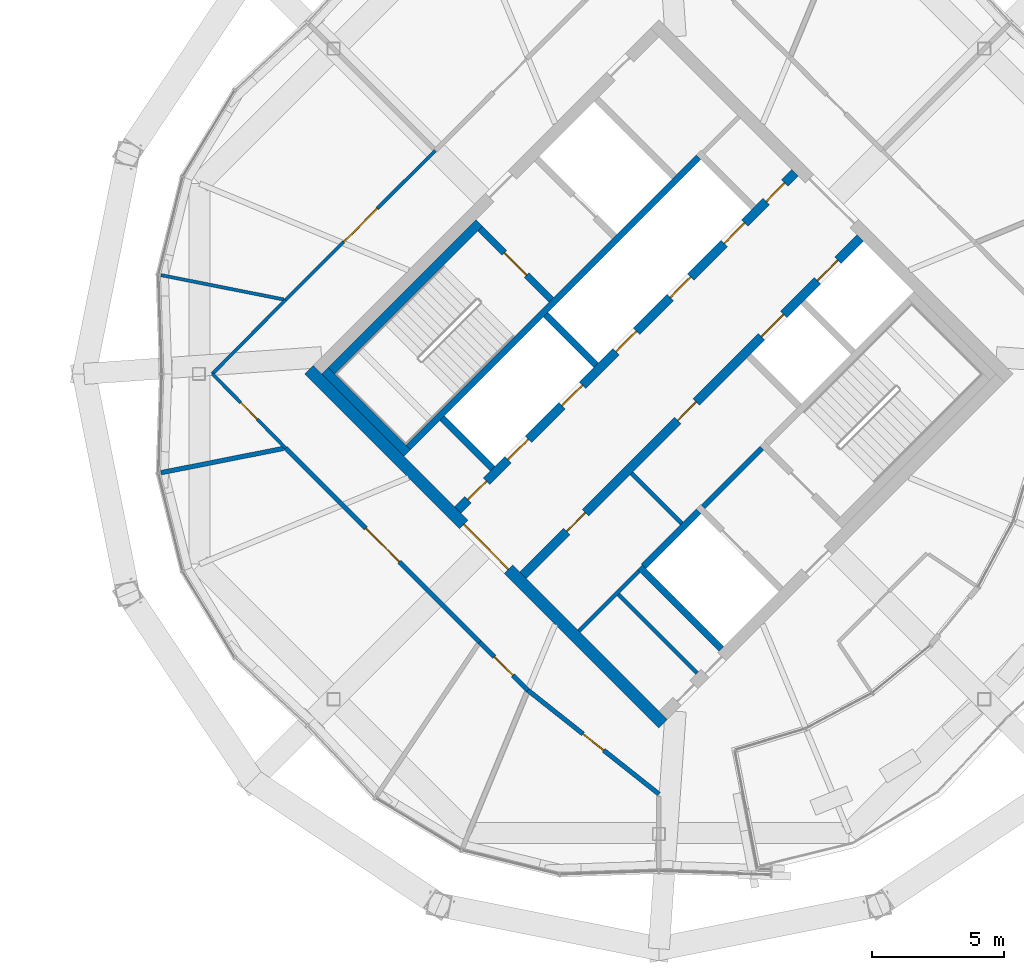
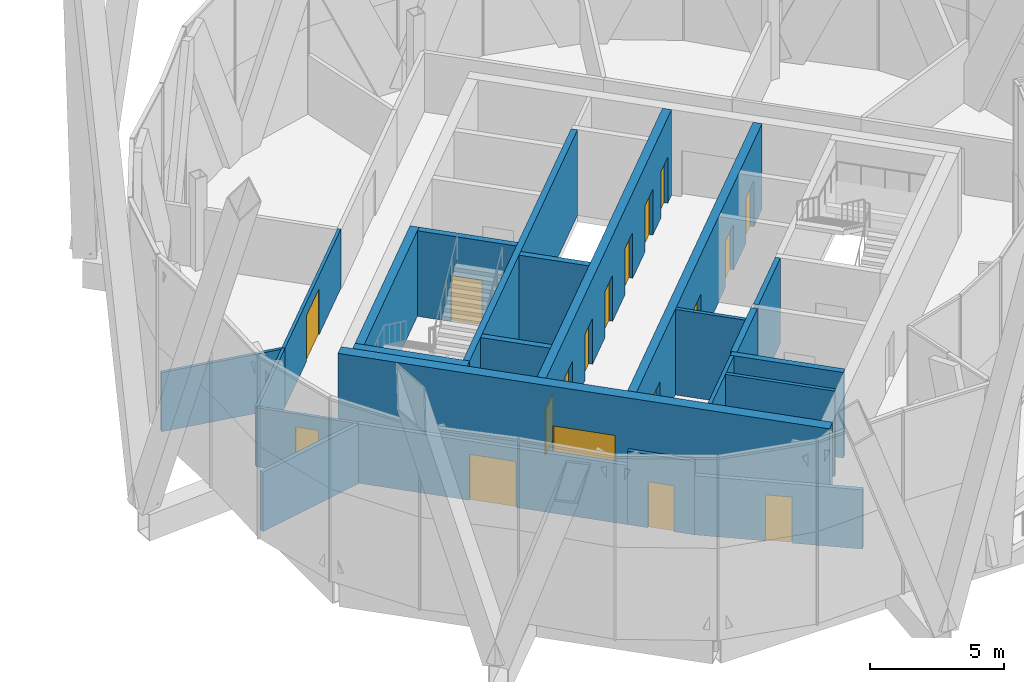
# One storey, part 33 of 38: 23 walls, 18 doors, 18 openings.
"""IFC4 building model written with IfcOpenShell, lengths in metres."""

import ifcopenshell
import ifcopenshell.guid

model = None  # the IFC model being written
_history = None  # IfcOwnerHistory: only IFC2X3 demands one
_inside = {}  # id of a spatial element -> (the spatial element, [elements in it])
_under = {}  # id of a project, library or spatial element -> (it, [spatial elements below it])
_declared = {}  # id of a project -> (the project, [libraries it declares])
_typed = {}  # id of a type object -> (the type object, [elements of that type])
_made_of = {}  # id of a material, layer set ... -> (it, [elements and type objects made of it])


def new_model(schema):
    """Start an empty IFC model of exactly this schema.

    Asked for "IFC4X3", IfcOpenShell would pick the latest addendum, in which some entities
    have other attributes; the version numbers below select the first issue.
    IFC2X3 requires an IfcOwnerHistory on every rooted entity: one is made here for all.
    """
    global model, _history
    if schema == "IFC4X3":
        model = ifcopenshell.file(schema_version=(4, 3, 0, 0))
    else:
        model = ifcopenshell.file(schema=schema)
    _inside.clear()
    _under.clear()
    _declared.clear()
    _typed.clear()
    _made_of.clear()
    _history = None
    if model.schema == "IFC2X3":
        org = make("IfcOrganization", Name="unknown")
        user = make(
            "IfcPersonAndOrganization",
            ThePerson=make("IfcPerson", FamilyName="unknown"),
            TheOrganization=org,
        )
        app = make(
            "IfcApplication",
            ApplicationDeveloper=org,
            Version="unknown",
            ApplicationFullName="unknown",
            ApplicationIdentifier="unknown",
        )
        _history = make(
            "IfcOwnerHistory",
            OwningUser=user,
            OwningApplication=app,
            ChangeAction="ADDED",
            CreationDate=0,
        )
    return model


def make(cls, **values):
    """One entity of the class cls with the attributes given. An attribute that is None is left unset."""
    return model.create_entity(
        cls, **{name: value for name, value in values.items() if value is not None}
    )


def rooted(cls, **values):
    """An entity with a GlobalId (a new one), such as an element, a storey or a relation."""
    return make(cls, GlobalId=ifcopenshell.guid.new(), OwnerHistory=_history, **values)


def si_unit(unit_type, name, prefix=None):
    """IfcSIUnit, for example si_unit("LENGTHUNIT", "METRE", prefix="MILLI")."""
    return make("IfcSIUnit", UnitType=unit_type, Prefix=prefix, Name=name)


def assignment(units):
    """IfcUnitAssignment: the units of a project."""
    return None if units is None else make("IfcUnitAssignment", Units=units)


def point(xyz):
    """IfcCartesianPoint."""
    return None if xyz is None else make("IfcCartesianPoint", Coordinates=xyz)


def direction(xyz):
    """IfcDirection."""
    return None if xyz is None else make("IfcDirection", DirectionRatios=xyz)


def frame(location, z_axis=None, x_axis=None):
    """IfcAxis2Placement3D, a coordinate frame: its origin and axes. An axis left out is left unset."""
    return make(
        "IfcAxis2Placement3D",
        Location=point(location),
        Axis=direction(z_axis),
        RefDirection=direction(x_axis),
    )


def frame_2d(location, x_axis=None):
    """IfcAxis2Placement2D, a coordinate frame in the plane: its origin and x axis."""
    return make(
        "IfcAxis2Placement2D", Location=point(location), RefDirection=direction(x_axis)
    )


def origin():
    """The frame at (0, 0, 0) with its axes left unset."""
    return frame((0.0, 0.0, 0.0))


def place(relative_to, where):
    """IfcLocalPlacement: puts the frame where relative to a parent placement (None: the world)."""
    return make(
        "IfcLocalPlacement", PlacementRelTo=relative_to, RelativePlacement=where
    )


def context(
    kind, dimensions, precision=None, world=None, true_north=None, identifier=None
):
    """IfcGeometricRepresentationContext, for example the 3D "Model" context."""
    return make(
        "IfcGeometricRepresentationContext",
        ContextIdentifier=identifier,
        ContextType=kind,
        CoordinateSpaceDimension=dimensions,
        Precision=precision,
        WorldCoordinateSystem=world,
        TrueNorth=true_north,
    )


def subcontext(parent, identifier, kind, view, scale=None):
    """IfcGeometricRepresentationSubContext, for example "Body" below "Model"."""
    return make(
        "IfcGeometricRepresentationSubContext",
        ContextIdentifier=identifier,
        ContextType=kind,
        ParentContext=parent,
        TargetScale=scale,
        TargetView=view,
    )


def project(units=None, contexts=None):
    """IfcProject with its units and contexts."""
    return rooted(
        "IfcProject",
        Name="project",
        RepresentationContexts=contexts,
        UnitsInContext=assignment(units),
    )


def spatial(cls, under=None, at=None, **own):
    """A site, building, storey or space (cls), placed at a placement, below another one or the project."""
    s = rooted(cls, ObjectPlacement=at, **own)
    if under is not None:
        _under.setdefault(under.id(), (under, []))[1].append(s)
    return s


def profile(cls, at=None, kind="AREA", **sizes):
    """A parametric profile (cls). Its sizes go by their IFC names, for example OverallWidth=200.0."""
    return make(cls, ProfileType=kind, Position=at, **sizes)


def rectangle(**sizes):
    """IfcRectangleProfileDef."""
    return profile("IfcRectangleProfileDef", **sizes)


def extrude(swept, where, along, depth):
    """IfcExtrudedAreaSolid: the profile swept, set in the frame where, extruded along a direction by depth."""
    return make(
        "IfcExtrudedAreaSolid",
        SweptArea=swept,
        Position=where,
        ExtrudedDirection=direction(along),
        Depth=depth,
    )


def shape(context_of_items, identifier, shape_type, items):
    """IfcShapeRepresentation: the items that make up one representation, for example the "Body"."""
    return make(
        "IfcShapeRepresentation",
        ContextOfItems=context_of_items,
        RepresentationIdentifier=identifier,
        RepresentationType=shape_type,
        Items=items,
    )


def material(Name=None, Category=None):
    """IfcMaterial."""
    return make("IfcMaterial", Name=Name, Category=Category)


def layer(
    of_material, thickness, ventilated=None, Name=None, Category=None, Priority=None
):
    """IfcMaterialLayer: one layer of a wall or slab, of a material (None: an air gap)."""
    return make(
        "IfcMaterialLayer",
        Material=of_material,
        LayerThickness=thickness,
        IsVentilated=ventilated,
        Name=Name,
        Category=Category,
        Priority=Priority,
    )


def layer_set(layers, Name=None):
    """IfcMaterialLayerSet."""
    return make("IfcMaterialLayerSet", MaterialLayers=layers, LayerSetName=Name)


def made_of(thing, what):
    """Note that an element or type object is made of a material, layer set ...; save() writes the relation."""
    if what is not None:
        _made_of.setdefault(what.id(), (what, []))[1].append(thing)
    return thing


def type_object(cls, material=None, **own):
    """A type object (cls), such as IfcWallType, which elements share."""
    return made_of(rooted(cls, **own), material)


def element(
    cls,
    number,
    at=None,
    inside=None,
    cuts=None,
    type_object=None,
    material=None,
    context=None,
    identifier="Body",
    shape_type=None,
    held_by="IfcProductDefinitionShape",
    body=None,
    shapes=None,
    **own,
):
    """One element of the class cls, such as IfcWall. Its Tag is "e" and its number.

    at: its placement. inside: the storey or other place that contains it. cuts: it is an
    opening in that element (IfcRelVoidsElement). A single representation is given by context,
    identifier, shape_type and body (its items); several are given by shapes. held_by: the class
    of the entity that holds the representations. save() writes the other relations.
    """
    e = rooted(cls, Tag="e%d" % number, ObjectPlacement=at, **own)
    if body is not None:
        shapes = [shape(context, identifier, shape_type, body)]
    if shapes is not None:
        e.Representation = make(held_by, Representations=shapes)
    if inside is not None:
        _inside.setdefault(inside.id(), (inside, []))[1].append(e)
    if cuts is not None:
        rooted(
            "IfcRelVoidsElement", RelatingBuildingElement=cuts, RelatedOpeningElement=e
        )
    if type_object is not None:
        _typed.setdefault(type_object.id(), (type_object, []))[1].append(e)
    return made_of(e, material)


def fill(opening, filler):
    """IfcRelFillsElement: the door or window that sits in an opening."""
    return rooted(
        "IfcRelFillsElement",
        RelatingOpeningElement=opening,
        RelatedBuildingElement=filler,
    )


def aggregate(whole, parts):
    """IfcRelAggregates: a whole, such as a stair, and the parts it consists of."""
    return rooted("IfcRelAggregates", RelatingObject=whole, RelatedObjects=parts)


def save(model, path):
    """Write the relations noted so far, then the file.

    IfcRelAggregates (storeys below a building ...), IfcRelContainedInSpatialStructure (elements
    in a storey), IfcRelDefinesByType, IfcRelAssociatesMaterial and IfcRelDeclares: one each for
    every whole, place, type object, material and project.
    """
    for whole, parts in _under.values():
        aggregate(whole, parts)
    for where, things in _inside.values():
        rooted(
            "IfcRelContainedInSpatialStructure",
            RelatedElements=things,
            RelatingStructure=where,
        )
    for kind, things in _typed.values():
        rooted("IfcRelDefinesByType", RelatedObjects=things, RelatingType=kind)
    for what, things in _made_of.values():
        rooted("IfcRelAssociatesMaterial", RelatedObjects=things, RelatingMaterial=what)
    for by, libraries in _declared.values():
        rooted("IfcRelDeclares", RelatingContext=by, RelatedDefinitions=libraries)
    model.write(path)


model = new_model("IFC4")

# Units and contexts
model_context = context("Model", 3, precision=1e-05, world=origin(), true_north=direction((0.0, 1.0)))
body_context = subcontext(model_context, "Body", "Model", "MODEL_VIEW")
ifc_project = project(units=[si_unit("LENGTHUNIT", "METRE"), si_unit("AREAUNIT", "SQUARE_METRE"), si_unit("VOLUMEUNIT", "CUBIC_METRE"), si_unit("PLANEANGLEUNIT", "RADIAN"), si_unit("MASSUNIT", "GRAM", prefix="KILO")], contexts=[model_context])

# Site, building, storey
site_placement = place(None, origin())
site = spatial("IfcSite", under=ifc_project, at=site_placement, CompositionType="ELEMENT")
building_placement = place(site_placement, origin())
building = spatial("IfcBuilding", under=site, at=building_placement, Name="Ogive Gate Towers", CompositionType="ELEMENT")
storey_placement = place(building_placement, frame((0.0, 0.0, 268.800048828125)))
storey = spatial("IfcBuildingStorey", under=building, at=storey_placement, Name="L63", CompositionType="ELEMENT", Elevation=268.800048828125)

# Wall
ifc_material_1 = material(Name="Gypsum board acoustic partition")
ifc_layer_1 = layer(ifc_material_1, 0.175048828125)
ifc_layer_set_1 = layer_set([ifc_layer_1], Name="Acoustic partition 175")
wall_type_1 = type_object("IfcWallType", Name="Acoustic partition 175", PredefinedType="PARTITIONING", material=ifc_layer_set_1)
wall_1_placement = place(storey_placement, frame((17.10888671875, -3.748291015625, 0.0), z_axis=(0.0, 0.0, 1.0), x_axis=(0.980875271951, 0.194637357346, 0.0)))
element("IfcWall", 1, at=wall_1_placement, inside=storey, type_object=wall_type_1, Name="Partition T2-L63-007", PredefinedType="PARTITIONING", context=body_context, shape_type="SweptSolid", body=[
    extrude(rectangle(XDim=4.7314453125, YDim=0.175048828125, at=frame_2d((2.36572265625, 0.0))), origin(), (0.0, 0.0, 1.0), 2.699951171875),
])

# Wall, opening, door
wall_2_placement = place(storey_placement, frame((36.0, -15.940185546875, 0.0), z_axis=(0.0, 0.0, 1.0), x_axis=(-0.78387172436, 0.620922796932, 0.0)))
wall_2 = element("IfcWall", 2, at=wall_2_placement, inside=storey, type_object=wall_type_1, Name="Partition T2-L63-015", PredefinedType="PARTITIONING", context=body_context, shape_type="SweptSolid", body=[
    extrude(rectangle(XDim=6.342041015625, YDim=0.175048828125, at=frame_2d((3.1708984375, 0.0))), origin(), (0.0, 0.0, 1.0), 2.699951171875),
])
opening_1_placement = place(wall_2_placement, frame((2.6708984375, 0.0, 0.0)))
opening_1 = element("IfcOpeningElement", 3, at=opening_1_placement, cuts=wall_2, Name="Opening T2-L63-D02", PredefinedType="OPENING", context=body_context, shape_type="SweptSolid", body=[
    extrude(rectangle(XDim=1.0, YDim=2.10009765625, at=frame_2d((0.5, 1.050048828125))), frame((0.0, 0.09765625, 0.0), z_axis=(0.0, -1.0, 0.0), x_axis=(1.0, 0.0, 0.0)), (0.0, 0.0, 1.0), 0.195068359375),
])
ifc_material_2 = material(Name="Timber door", Category="wood")
door_type_1 = type_object("IfcDoorType", Name="Door 1000", OperationType="NOTDEFINED", PredefinedType="DOOR", material=ifc_material_2)
door_1_placement = place(opening_1_placement, origin())
door_1 = element("IfcDoor", 4, at=door_1_placement, inside=storey, type_object=door_type_1, Name="Door T2-L63-D02", OperationType="SINGLE_SWING_LEFT", OverallHeight=2.10009765625, OverallWidth=1.0, PredefinedType="DOOR", context=body_context, shape_type="SweptSolid", body=[
    extrude(rectangle(XDim=1.0, YDim=2.10009765625, at=frame_2d((0.5, 1.050048828125))), frame((0.0, 0.02490234375, 0.0), z_axis=(0.0, -1.0, 0.0), x_axis=(1.0, 0.0, 0.0)), (0.0, 0.0, 1.0), 0.050048828125),
])
fill(opening_1, door_1)

wall_3_placement = place(storey_placement, frame((31.028564453125, -12.002197265625, 0.0), z_axis=(0.0, 0.0, 1.0), x_axis=(-0.708284387202, 0.705927210727, 0.0)))
wall_3 = element("IfcWall", 5, at=wall_3_placement, inside=storey, type_object=wall_type_1, Name="Partition T2-L63-016", PredefinedType="PARTITIONING", context=body_context, shape_type="SweptSolid", body=[
    extrude(rectangle(XDim=2.58935546875, YDim=0.175048828125, at=frame_2d((1.294677734375, 0.0))), origin(), (0.0, 0.0, 1.0), 3.349853515625),
])
opening_2_placement = place(wall_3_placement, frame((0.794921875, 0.0, 0.0)))
opening_2 = element("IfcOpeningElement", 6, at=opening_2_placement, cuts=wall_3, Name="Opening T2-L63-D03", PredefinedType="OPENING", context=body_context, shape_type="SweptSolid", body=[
    extrude(rectangle(XDim=1.0, YDim=2.10009765625, at=frame_2d((0.5, 1.050048828125))), frame((0.0, 0.09765625, 0.0), z_axis=(0.0, -1.0, 0.0), x_axis=(1.0, 0.0, 0.0)), (0.0, 0.0, 1.0), 0.195068359375),
])
door_2_placement = place(opening_2_placement, origin())
door_2 = element("IfcDoor", 7, at=door_2_placement, inside=storey, type_object=door_type_1, Name="Door T2-L63-D03", OperationType="SINGLE_SWING_RIGHT", OverallHeight=2.10009765625, OverallWidth=1.0, PredefinedType="DOOR", context=body_context, shape_type="SweptSolid", body=[
    extrude(rectangle(XDim=1.0, YDim=2.10009765625, at=frame_2d((0.5, 1.050048828125))), frame((0.0, 0.02490234375, 0.0), z_axis=(0.0, -1.0, 0.0), x_axis=(1.0, 0.0, 0.0)), (0.0, 0.0, 1.0), 0.050048828125),
])
fill(opening_2, door_2)

wall_4_placement = place(storey_placement, frame((29.194580078125, -10.17431640625, 0.0), z_axis=(0.0, 0.0, 1.0), x_axis=(-0.706860502653, 0.707352973974, 0.0)))
wall_4 = element("IfcWall", 8, at=wall_4_placement, inside=storey, type_object=wall_type_1, Name="Partition T2-L63-017", PredefinedType="PARTITIONING", context=body_context, shape_type="SweptSolid", body=[
    extrude(rectangle(XDim=10.41064453125, YDim=0.175048828125, at=frame_2d((5.205322265625, 0.0))), origin(), (0.0, 0.0, 1.0), 2.699951171875),
])
opening_3_placement = place(wall_4_placement, frame((4.304931640625, 0.0, 0.0)))
opening_3 = element("IfcOpeningElement", 9, at=opening_3_placement, cuts=wall_4, Name="Opening T2-L63-D04", PredefinedType="OPENING", context=body_context, shape_type="SweptSolid", body=[
    extrude(rectangle(XDim=1.800048828125, YDim=2.10009765625, at=frame_2d((0.89990234375, 1.050048828125))), frame((0.0, 0.09765625, 0.0), z_axis=(0.0, -1.0, 0.0), x_axis=(1.0, 0.0, 0.0)), (0.0, 0.0, 1.0), 0.195068359375),
])
door_type_2 = type_object("IfcDoorType", Name="Door pair 1800", OperationType="NOTDEFINED", PredefinedType="DOOR", material=ifc_material_2)
door_3_placement = place(opening_3_placement, origin())
door_3 = element("IfcDoor", 10, at=door_3_placement, inside=storey, type_object=door_type_2, Name="Door T2-L63-D04", OperationType="DOUBLE_DOOR_DOUBLE_SWING", OverallHeight=2.10009765625, OverallWidth=1.800048828125, PredefinedType="DOOR", context=body_context, shape_type="SweptSolid", body=[
    extrude(rectangle(XDim=1.800048828125, YDim=2.10009765625, at=frame_2d((0.89990234375, 1.050048828125))), frame((0.0, 0.02490234375, 0.0), z_axis=(0.0, -1.0, 0.0), x_axis=(1.0, 0.0, 0.0)), (0.0, 0.0, 1.0), 0.050048828125),
])
fill(opening_3, door_3)

# Wall
ifc_material_3 = material(Name="Masonry blockwork", Category="masonry")
ifc_layer_2 = layer(ifc_material_3, 0.199951171875)
ifc_layer_set_2 = layer_set([ifc_layer_2], Name="Blockwork wall 200 mm")
wall_type_2 = type_object("IfcWallType", Name="Blockwork wall 200 mm", PredefinedType="PARTITIONING", material=ifc_layer_set_2)
wall_5_placement = place(storey_placement, frame((37.679443359375, -5.0380859375, 0.0), z_axis=(0.0, 0.0, 1.0), x_axis=(0.707106781187, 0.707106781187, 0.0)))
element("IfcWall", 11, at=wall_5_placement, inside=storey, type_object=wall_type_2, Name="T2 L63 Blockwork wall 200 mm", PredefinedType="PARTITIONING", context=body_context, shape_type="SweptSolid", body=[
    extrude(rectangle(XDim=3.14990234375, YDim=0.199951171875, at=frame_2d((1.574951171875, 0.0))), origin(), (0.0, 0.0, 1.0), 3.89990234375),
])

# Wall, opening, door
ifc_material_4 = material(Name="Concrete C60/75", Category="concrete")
ifc_layer_3 = layer(ifc_material_4, 0.449951171875)
ifc_layer_set_3 = layer_set([ifc_layer_3], Name="Core wall 450 mm")
wall_type_3 = type_object("IfcWallType", Name="Core wall 450 mm", PredefinedType="SHEAR", material=ifc_layer_set_3)
wall_6_placement = place(storey_placement, frame((36.1591796875, -13.27587890625, 0.0), z_axis=(0.0, 0.0, 1.0), x_axis=(-0.707106781187, 0.707106781187, 0.0)))
wall_6 = element("IfcWall", 12, at=wall_6_placement, inside=storey, type_object=wall_type_3, Name="T2 L63 Core wall 450 mm", PredefinedType="SHEAR", context=body_context, shape_type="SweptSolid", body=[
    extrude(rectangle(XDim=19.0, YDim=0.449951171875, at=frame_2d((9.5, 0.0))), origin(), (0.0, 0.0, 1.0), 3.89990234375),
])
opening_4_placement = place(wall_6_placement, frame((8.300048828125, 0.0, 0.0)))
opening_4 = element("IfcOpeningElement", 13, at=opening_4_placement, cuts=wall_6, Name="Opening KD-T2-L63-01", PredefinedType="OPENING", context=body_context, shape_type="SweptSolid", body=[
    extrude(rectangle(XDim=2.39990234375, YDim=2.10009765625, at=frame_2d((1.199951171875, 1.050048828125))), frame((0.0, 0.23486328125, 0.0), z_axis=(0.0, -1.0, 0.0), x_axis=(1.0, 0.0, 0.0)), (0.0, 0.0, 1.0), 0.469970703125),
])
ifc_material_5 = material(Name="Steel fire door", Category="steel")
door_type_3 = type_object("IfcDoorType", Name="Core double door FD60S 2400 x 2100", OperationType="DOUBLE_DOOR_SINGLE_SWING", PredefinedType="DOOR", material=ifc_material_5)
door_4_placement = place(opening_4_placement, origin())
door_4 = element("IfcDoor", 14, at=door_4_placement, inside=storey, type_object=door_type_3, Name="T2 L63 Core door double", OperationType="DOUBLE_DOOR_SINGLE_SWING", OverallHeight=2.10009765625, OverallWidth=2.39990234375, PredefinedType="DOOR", context=body_context, shape_type="SweptSolid", body=[
    extrude(rectangle(XDim=2.39990234375, YDim=2.10009765625, at=frame_2d((1.199951171875, 1.050048828125))), frame((0.0, 0.02490234375, 0.0), z_axis=(0.0, -1.0, 0.0), x_axis=(1.0, 0.0, 0.0)), (0.0, 0.0, 1.0), 0.050048828125),
])
fill(opening_4, door_4)

# Wall
ifc_material_6 = material(Name="Gypsum board partition")
ifc_layer_4 = layer(ifc_material_6, 0.125)
ifc_layer_set_4 = layer_set([ifc_layer_4], Name="Partition 125")
wall_type_4 = type_object("IfcWallType", Name="Partition 125", PredefinedType="PARTITIONING", material=ifc_layer_set_4)
wall_7_placement = place(storey_placement, frame((17.10888671875, 3.748291015625, 0.0), z_axis=(0.0, 0.0, 1.0), x_axis=(0.98087568023, -0.194635299813, 0.0)))
element("IfcWall", 15, at=wall_7_placement, inside=storey, type_object=wall_type_4, Name="Partition T2-L63-006", PredefinedType="PARTITIONING", context=body_context, shape_type="SweptSolid", body=[
    extrude(rectangle(XDim=4.756591796875, YDim=0.125, at=frame_2d((2.37841796875, 0.0))), origin(), (0.0, 0.0, 1.0), 2.699951171875),
])

# Wall, opening, door
wall_8_placement = place(storey_placement, frame((21.835693359375, -2.810302734375, 0.0), z_axis=(0.0, 0.0, 1.0), x_axis=(-0.703017411884, 0.711172636277, 0.0)))
wall_8 = element("IfcWall", 16, at=wall_8_placement, inside=storey, type_object=wall_type_4, Name="Partition T2-L63-018", PredefinedType="PARTITIONING", context=body_context, shape_type="SweptSolid", body=[
    extrude(rectangle(XDim=3.95166015625, YDim=0.125, at=frame_2d((1.975830078125, 0.0))), origin(), (0.0, 0.0, 1.0), 2.699951171875),
])
opening_5_placement = place(wall_8_placement, frame((1.52587890625, 0.0, 0.0)))
opening_5 = element("IfcOpeningElement", 17, at=opening_5_placement, cuts=wall_8, Name="Opening T2-L63-D05", PredefinedType="OPENING", context=body_context, shape_type="SweptSolid", body=[
    extrude(rectangle(XDim=0.89990234375, YDim=2.10009765625, at=frame_2d((0.449951171875, 1.050048828125))), frame((0.0, 0.072509765625, 0.0), z_axis=(0.0, -1.0, 0.0), x_axis=(1.0, 0.0, 0.0)), (0.0, 0.0, 1.0), 0.14501953125),
])
door_type_4 = type_object("IfcDoorType", Name="Door 900", OperationType="NOTDEFINED", PredefinedType="DOOR", material=ifc_material_2)
door_5_placement = place(opening_5_placement, origin())
door_5 = element("IfcDoor", 18, at=door_5_placement, inside=storey, type_object=door_type_4, Name="Door T2-L63-D05", OperationType="SINGLE_SWING_LEFT", OverallHeight=2.10009765625, OverallWidth=0.89990234375, PredefinedType="DOOR", context=body_context, shape_type="SweptSolid", body=[
    extrude(rectangle(XDim=0.89990234375, YDim=2.10009765625, at=frame_2d((0.449951171875, 1.050048828125))), frame((0.0, 0.02490234375, 0.0), z_axis=(0.0, -1.0, 0.0), x_axis=(1.0, 0.0, 0.0)), (0.0, 0.0, 1.0), 0.050048828125),
])
fill(opening_5, door_5)

# Wall
wall_9_placement = place(storey_placement, frame((19.0576171875, 0.0, 0.0), z_axis=(0.0, 0.0, 1.0), x_axis=(0.703017411884, 0.711172636277, 0.0)))
element("IfcWall", 19, at=wall_9_placement, inside=storey, type_object=wall_type_4, Name="Partition T2-L63-019", PredefinedType="PARTITIONING", context=body_context, shape_type="SweptSolid", body=[
    extrude(rectangle(XDim=3.95166015625, YDim=0.125, at=frame_2d((1.975830078125, 0.0))), origin(), (0.0, 0.0, 1.0), 2.699951171875),
])

# Wall, opening, door
wall_10_placement = place(storey_placement, frame((21.835693359375, 2.810302734375, 0.0), z_axis=(0.0, 0.0, 1.0), x_axis=(0.708231027635, 0.705980744422, 0.0)))
wall_10 = element("IfcWall", 20, at=wall_10_placement, inside=storey, type_object=wall_type_4, Name="Partition T2-L63-020", PredefinedType="PARTITIONING", context=body_context, shape_type="SweptSolid", body=[
    extrude(rectangle(XDim=8.028564453125, YDim=0.125, at=frame_2d((4.01416015625, 0.0))), origin(), (0.0, 0.0, 1.0), 2.699951171875),
])
opening_6_placement = place(wall_10_placement, frame((3.114013671875, 0.0, 0.0)))
opening_6 = element("IfcOpeningElement", 21, at=opening_6_placement, cuts=wall_10, Name="Opening T2-L63-D06", PredefinedType="OPENING", context=body_context, shape_type="SweptSolid", body=[
    extrude(rectangle(XDim=1.800048828125, YDim=2.10009765625, at=frame_2d((0.89990234375, 1.050048828125))), frame((0.0, 0.072509765625, 0.0), z_axis=(0.0, -1.0, 0.0), x_axis=(1.0, 0.0, 0.0)), (0.0, 0.0, 1.0), 0.14501953125),
])
door_6_placement = place(opening_6_placement, origin())
door_6 = element("IfcDoor", 22, at=door_6_placement, inside=storey, type_object=door_type_2, Name="Door T2-L63-D06", OperationType="DOUBLE_DOOR_DOUBLE_SWING", OverallHeight=2.10009765625, OverallWidth=1.800048828125, PredefinedType="DOOR", context=body_context, shape_type="SweptSolid", body=[
    extrude(rectangle(XDim=1.800048828125, YDim=2.10009765625, at=frame_2d((0.89990234375, 1.050048828125))), frame((0.0, 0.02490234375, 0.0), z_axis=(0.0, -1.0, 0.0), x_axis=(1.0, 0.0, 0.0)), (0.0, 0.0, 1.0), 0.050048828125),
])
fill(opening_6, door_6)

# Walls
ifc_layer_5 = layer(ifc_material_6, 0.14990234375)
ifc_layer_set_5 = layer_set([ifc_layer_5], Name="Room partition 150 mm")
wall_type_5 = type_object("IfcWallType", Name="Room partition 150 mm", PredefinedType="PARTITIONING", material=ifc_layer_set_5)
wall_11_placement = place(storey_placement, frame((32.95947265625, -9.758056640625, 0.0), z_axis=(0.0, 0.0, 1.0), x_axis=(0.707144631829, 0.707068928518, 0.0)))
element("IfcWall", 23, at=wall_11_placement, inside=storey, type_object=wall_type_5, Name="T2 L63 Room partition 150 mm", PredefinedType="PARTITIONING", context=body_context, shape_type="SweptSolid", body=[
    extrude(rectangle(XDim=3.224853515625, YDim=0.14990234375, at=frame_2d((1.6123046875, 0.0))), origin(), (0.0, 0.0, 1.0), 3.89990234375),
])
wall_12_placement = place(storey_placement, frame((37.44970703125, -11.34912109375, 0.0), z_axis=(0.0, 0.0, 1.0), x_axis=(-0.707135671578, 0.707077889614, 0.0)))
element("IfcWall", 24, at=wall_12_placement, inside=storey, type_object=wall_type_5, Name="T2 L63 Room partition 150 mm", PredefinedType="PARTITIONING", context=body_context, shape_type="SweptSolid", body=[
    extrude(rectangle(XDim=4.22509765625, YDim=0.14990234375, at=frame_2d((2.112548828125, 0.0))), origin(), (0.0, 0.0, 1.0), 3.89990234375),
])
wall_13_placement = place(storey_placement, frame((36.8662109375, -5.674560546875, 0.0), z_axis=(0.0, 0.0, 1.0), x_axis=(-0.707106781187, 0.707106781187, 0.0)))
element("IfcWall", 25, at=wall_13_placement, inside=storey, type_object=wall_type_5, Name="T2 L63 Room partition 150 mm", PredefinedType="PARTITIONING", context=body_context, shape_type="SweptSolid", body=[
    extrude(rectangle(XDim=2.699951171875, YDim=0.14990234375, at=frame_2d((1.35009765625, 0.0))), origin(), (0.0, 0.0, 1.0), 3.89990234375),
])
ifc_layer_6 = layer(ifc_material_4, 0.25)
ifc_layer_set_6 = layer_set([ifc_layer_6], Name="Shaft wall 250 mm")
wall_type_6 = type_object("IfcWallType", Name="Shaft wall 250 mm", PredefinedType="SHEAR", material=ifc_layer_set_6)
wall_14_placement = place(storey_placement, frame((35.41650390625, -7.30078125, 0.0), z_axis=(0.0, 0.0, 1.0), x_axis=(0.707148157867, 0.707065402085, 0.0)))
element("IfcWall", 26, at=wall_14_placement, inside=storey, type_object=wall_type_6, Name="T2 L63 Shaft wall 250 mm", PredefinedType="SHEAR", context=body_context, shape_type="SweptSolid", body=[
    extrude(rectangle(XDim=2.9501953125, YDim=0.25, at=frame_2d((1.47509765625, 0.0))), origin(), (0.0, 0.0, 1.0), 3.89990234375),
])
wall_15_placement = place(storey_placement, frame((26.489501953125, -2.793212890625, 0.0), z_axis=(0.0, 0.0, 1.0), x_axis=(0.707098943647, 0.70711461864, 0.0)))
element("IfcWall", 27, at=wall_15_placement, inside=storey, type_object=wall_type_6, Name="T2 L63 Shaft wall 250 mm", PredefinedType="SHEAR", context=body_context, shape_type="SweptSolid", body=[
    extrude(rectangle(XDim=15.5751953125, YDim=0.25, at=frame_2d((7.78759765625, 0.0))), origin(), (0.0, 0.0, 1.0), 3.89990234375),
])
wall_16_placement = place(storey_placement, frame((29.689208984375, -3.588623046875, 0.0), z_axis=(0.0, 0.0, 1.0), x_axis=(-0.707151988282, 0.707061571201, 0.0)))
element("IfcWall", 28, at=wall_16_placement, inside=storey, type_object=wall_type_6, Name="T2 L63 Shaft wall 250 mm", PredefinedType="SHEAR", context=body_context, shape_type="SweptSolid", body=[
    extrude(rectangle(XDim=2.7001953125, YDim=0.25, at=frame_2d((1.35009765625, 0.0))), origin(), (0.0, 0.0, 1.0), 3.89990234375),
])
wall_17_placement = place(storey_placement, frame((38.368896484375, -10.4296875, 0.0), z_axis=(0.0, 0.0, 1.0), x_axis=(-0.707134682099, 0.707078879173, 0.0)))
element("IfcWall", 29, at=wall_17_placement, inside=storey, type_object=wall_type_6, Name="T2 L63 Shaft wall 250 mm", PredefinedType="SHEAR", context=body_context, shape_type="SweptSolid", body=[
    extrude(rectangle(XDim=4.375, YDim=0.25, at=frame_2d((2.1875, 0.0))), origin(), (0.0, 0.0, 1.0), 3.89990234375),
])
wall_18_placement = place(storey_placement, frame((33.613525390625, 0.3359375, 0.0), z_axis=(0.0, 0.0, 1.0), x_axis=(-0.707106781187, 0.707106781187, 0.0)))
element("IfcWall", 30, at=wall_18_placement, inside=storey, type_object=wall_type_6, Name="T2 L63 Shaft wall 250 mm", PredefinedType="SHEAR", context=body_context, shape_type="SweptSolid", body=[
    extrude(rectangle(XDim=2.699951171875, YDim=0.25, at=frame_2d((1.35009765625, 0.0))), origin(), (0.0, 0.0, 1.0), 3.89990234375),
])

# Wall, opening, door
wall_19_placement = place(storey_placement, frame((31.91650390625, 2.810791015625, 0.0), z_axis=(0.0, 0.0, 1.0), x_axis=(-0.707106781187, 0.707106781187, 0.0)))
wall_19 = element("IfcWall", 31, at=wall_19_placement, inside=storey, type_object=wall_type_6, Name="T2 L63 Shaft wall 250 mm", PredefinedType="SHEAR", context=body_context, shape_type="SweptSolid", body=[
    extrude(rectangle(XDim=3.824951171875, YDim=0.25, at=frame_2d((1.91259765625, 0.0))), origin(), (0.0, 0.0, 1.0), 3.89990234375),
])
opening_7_placement = place(wall_19_placement, frame((1.324951171875, 0.0, 0.0)))
opening_7 = element("IfcOpeningElement", 32, at=opening_7_placement, cuts=wall_19, Name="Opening KD-T2-L63-16", PredefinedType="OPENING", context=body_context, shape_type="SweptSolid", body=[
    extrude(rectangle(XDim=1.199951171875, YDim=2.10009765625, at=frame_2d((0.60009765625, 1.050048828125))), frame((0.0, 0.135009765625, 0.0), z_axis=(0.0, -1.0, 0.0), x_axis=(1.0, 0.0, 0.0)), (0.0, 0.0, 1.0), 0.27001953125),
])
door_type_5 = type_object("IfcDoorType", Name="Core door FD60S 1200 x 2100", OperationType="NOTDEFINED", PredefinedType="DOOR", material=ifc_material_5)
door_7_placement = place(opening_7_placement, origin())
door_7 = element("IfcDoor", 33, at=door_7_placement, inside=storey, type_object=door_type_5, Name="T2 L63 Stair door", OperationType="SINGLE_SWING_LEFT", OverallHeight=2.10009765625, OverallWidth=1.199951171875, PredefinedType="DOOR", context=body_context, shape_type="SweptSolid", body=[
    extrude(rectangle(XDim=1.199951171875, YDim=2.10009765625, at=frame_2d((0.60009765625, 1.050048828125))), frame((0.0, 0.02490234375, 0.0), z_axis=(0.0, -1.0, 0.0), x_axis=(1.0, 0.0, 0.0)), (0.0, 0.0, 1.0), 0.050048828125),
])
fill(opening_7, door_7)

# Wall, openings, doors
ifc_layer_7 = layer(ifc_material_4, 0.35009765625)
ifc_layer_set_7 = layer_set([ifc_layer_7], Name="Spine wall 350 mm")
wall_type_7 = type_object("IfcWallType", Name="Spine wall 350 mm", PredefinedType="SHEAR", material=ifc_layer_set_7)
wall_20_placement = place(storey_placement, frame((30.838134765625, -7.63671875, 0.0), z_axis=(0.0, 0.0, 1.0), x_axis=(0.707106781187, 0.707106781187, 0.0)))
wall_20 = element("IfcWall", 34, at=wall_20_placement, inside=storey, type_object=wall_type_7, Name="T2 L63 Spine wall 350 mm", PredefinedType="SHEAR", context=body_context, shape_type="SweptSolid", body=[
    extrude(rectangle(XDim=18.099853515625, YDim=0.35009765625, at=frame_2d((9.0498046875, 0.0))), origin(), (0.0, 0.0, 1.0), 3.89990234375),
])
opening_8_placement = place(wall_20_placement, frame((12.800048828125, 0.0, 0.0)))
opening_8 = element("IfcOpeningElement", 35, at=opening_8_placement, cuts=wall_20, Name="Opening LD-T2-L63-10", PredefinedType="OPENING", context=body_context, shape_type="SweptSolid", body=[
    extrude(rectangle(XDim=1.199951171875, YDim=2.10009765625, at=frame_2d((0.60009765625, 1.050048828125))), frame((0.0, 0.18505859375, 0.0), z_axis=(0.0, -1.0, 0.0), x_axis=(1.0, 0.0, 0.0)), (0.0, 0.0, 1.0), 0.3701171875),
])
opening_9_placement = place(wall_20_placement, frame((15.800048828125, 0.0, 0.0)))
opening_9 = element("IfcOpeningElement", 36, at=opening_9_placement, cuts=wall_20, Name="Opening LD-T2-L63-11", PredefinedType="OPENING", context=body_context, shape_type="SweptSolid", body=[
    extrude(rectangle(XDim=1.10009765625, YDim=2.10009765625, at=frame_2d((0.550048828125, 1.050048828125))), frame((0.0, 0.18505859375, 0.0), z_axis=(0.0, -1.0, 0.0), x_axis=(1.0, 0.0, 0.0)), (0.0, 0.0, 1.0), 0.3701171875),
])
opening_10_placement = place(wall_20_placement, frame((2.35009765625, 0.0, 0.0)))
opening_10 = element("IfcOpeningElement", 37, at=opening_10_placement, cuts=wall_20, Name="Opening KD-T2-L63-14", PredefinedType="OPENING", context=body_context, shape_type="SweptSolid", body=[
    extrude(rectangle(XDim=1.0, YDim=2.10009765625, at=frame_2d((0.5, 1.050048828125))), frame((0.0, 0.18505859375, 0.0), z_axis=(0.0, -1.0, 0.0), x_axis=(1.0, 0.0, 0.0)), (0.0, 0.0, 1.0), 0.3701171875),
])
opening_11_placement = place(wall_20_placement, frame((8.300048828125, 0.0, 0.0)))
opening_11 = element("IfcOpeningElement", 38, at=opening_11_placement, cuts=wall_20, Name="Opening KD-T2-L63-15", PredefinedType="OPENING", context=body_context, shape_type="SweptSolid", body=[
    extrude(rectangle(XDim=1.0, YDim=2.10009765625, at=frame_2d((0.5, 1.050048828125))), frame((0.0, 0.18505859375, 0.0), z_axis=(0.0, -1.0, 0.0), x_axis=(1.0, 0.0, 0.0)), (0.0, 0.0, 1.0), 0.3701171875),
])
door_type_6 = type_object("IfcDoorType", Name="Core door FD60S 1000 x 2100", OperationType="NOTDEFINED", PredefinedType="DOOR", material=ifc_material_5)
door_8_placement = place(opening_10_placement, origin())
door_8 = element("IfcDoor", 39, at=door_8_placement, inside=storey, type_object=door_type_6, Name="T2 L63 Core door", OperationType="SINGLE_SWING_LEFT", OverallHeight=2.10009765625, OverallWidth=1.0, PredefinedType="DOOR", context=body_context, shape_type="SweptSolid", body=[
    extrude(rectangle(XDim=1.0, YDim=2.10009765625, at=frame_2d((0.5, 1.050048828125))), frame((0.0, 0.02490234375, 0.0), z_axis=(0.0, -1.0, 0.0), x_axis=(1.0, 0.0, 0.0)), (0.0, 0.0, 1.0), 0.050048828125),
])
fill(opening_10, door_8)
door_9_placement = place(opening_11_placement, origin())
door_9 = element("IfcDoor", 40, at=door_9_placement, inside=storey, type_object=door_type_6, Name="T2 L63 Core door", OperationType="SINGLE_SWING_RIGHT", OverallHeight=2.10009765625, OverallWidth=1.0, PredefinedType="DOOR", context=body_context, shape_type="SweptSolid", body=[
    extrude(rectangle(XDim=1.0, YDim=2.10009765625, at=frame_2d((0.5, 1.050048828125))), frame((0.0, 0.02490234375, 0.0), z_axis=(0.0, -1.0, 0.0), x_axis=(1.0, 0.0, 0.0)), (0.0, 0.0, 1.0), 0.050048828125),
])
fill(opening_11, door_9)
ifc_material_7 = material(Name="Stainless steel landing door", Category="steel")
door_type_7 = type_object("IfcDoorType", Name="Landing door 1100 x 2100", OperationType="SLIDING_TO_LEFT", PredefinedType="DOOR", material=ifc_material_7)
door_10_placement = place(opening_9_placement, origin())
door_10 = element("IfcDoor", 41, at=door_10_placement, inside=storey, type_object=door_type_7, Name="T2 L63 Lift landing door B6", OperationType="SLIDING_TO_LEFT", OverallHeight=2.10009765625, OverallWidth=1.10009765625, PredefinedType="DOOR", context=body_context, shape_type="SweptSolid", body=[
    extrude(rectangle(XDim=1.10009765625, YDim=2.10009765625, at=frame_2d((0.550048828125, 1.050048828125))), frame((0.0, 0.02490234375, 0.0), z_axis=(0.0, -1.0, 0.0), x_axis=(1.0, 0.0, 0.0)), (0.0, 0.0, 1.0), 0.050048828125),
])
fill(opening_9, door_10)
door_type_8 = type_object("IfcDoorType", Name="Landing door 1200 x 2100", OperationType="SLIDING_TO_LEFT", PredefinedType="DOOR", material=ifc_material_7)
door_11_placement = place(opening_8_placement, origin())
door_11 = element("IfcDoor", 42, at=door_11_placement, inside=storey, type_object=door_type_8, Name="T2 L63 Lift landing door SVC", OperationType="SLIDING_TO_LEFT", OverallHeight=2.10009765625, OverallWidth=1.199951171875, PredefinedType="DOOR", context=body_context, shape_type="SweptSolid", body=[
    extrude(rectangle(XDim=1.199951171875, YDim=2.10009765625, at=frame_2d((0.60009765625, 1.050048828125))), frame((0.0, 0.02490234375, 0.0), z_axis=(0.0, -1.0, 0.0), x_axis=(1.0, 0.0, 0.0)), (0.0, 0.0, 1.0), 0.050048828125),
])
fill(opening_8, door_11)

wall_21_placement = place(storey_placement, frame((28.36328125, -5.161865234375, 0.0), z_axis=(0.0, 0.0, 1.0), x_axis=(0.707106781187, 0.707106781187, 0.0)))
wall_21 = element("IfcWall", 43, at=wall_21_placement, inside=storey, type_object=wall_type_7, Name="T2 L63 Spine wall 350 mm", PredefinedType="SHEAR", context=body_context, shape_type="SweptSolid", body=[
    extrude(rectangle(XDim=18.099853515625, YDim=0.35009765625, at=frame_2d((9.0498046875, 0.0))), origin(), (0.0, 0.0, 1.0), 3.89990234375),
])
opening_12_placement = place(wall_21_placement, frame((0.550048828125, 0.0, 0.0)))
opening_12 = element("IfcOpeningElement", 44, at=opening_12_placement, cuts=wall_21, Name="Opening KD-T2-L63-03", PredefinedType="OPENING", context=body_context, shape_type="SweptSolid", body=[
    extrude(rectangle(XDim=1.0, YDim=2.10009765625, at=frame_2d((0.5, 1.050048828125))), frame((0.0, 0.18505859375, 0.0), z_axis=(0.0, -1.0, 0.0), x_axis=(1.0, 0.0, 0.0)), (0.0, 0.0, 1.0), 0.3701171875),
])
opening_13_placement = place(wall_21_placement, frame((2.699951171875, 0.0, 0.0)))
opening_13 = element("IfcOpeningElement", 45, at=opening_13_placement, cuts=wall_21, Name="Opening LD-T2-L63-04", PredefinedType="OPENING", context=body_context, shape_type="SweptSolid", body=[
    extrude(rectangle(XDim=1.10009765625, YDim=2.10009765625, at=frame_2d((0.550048828125, 1.050048828125))), frame((0.0, 0.18505859375, 0.0), z_axis=(0.0, -1.0, 0.0), x_axis=(1.0, 0.0, 0.0)), (0.0, 0.0, 1.0), 0.3701171875),
])
opening_14_placement = place(wall_21_placement, frame((5.60009765625, 0.0, 0.0)))
opening_14 = element("IfcOpeningElement", 46, at=opening_14_placement, cuts=wall_21, Name="Opening LD-T2-L63-05", PredefinedType="OPENING", context=body_context, shape_type="SweptSolid", body=[
    extrude(rectangle(XDim=1.10009765625, YDim=2.10009765625, at=frame_2d((0.550048828125, 1.050048828125))), frame((0.0, 0.18505859375, 0.0), z_axis=(0.0, -1.0, 0.0), x_axis=(1.0, 0.0, 0.0)), (0.0, 0.0, 1.0), 0.3701171875),
])
opening_15_placement = place(wall_21_placement, frame((8.5, 0.0, 0.0)))
opening_15 = element("IfcOpeningElement", 47, at=opening_15_placement, cuts=wall_21, Name="Opening LD-T2-L63-06", PredefinedType="OPENING", context=body_context, shape_type="SweptSolid", body=[
    extrude(rectangle(XDim=1.10009765625, YDim=2.10009765625, at=frame_2d((0.550048828125, 1.050048828125))), frame((0.0, 0.18505859375, 0.0), z_axis=(0.0, -1.0, 0.0), x_axis=(1.0, 0.0, 0.0)), (0.0, 0.0, 1.0), 0.3701171875),
])
opening_16_placement = place(wall_21_placement, frame((11.39990234375, 0.0, 0.0)))
opening_16 = element("IfcOpeningElement", 48, at=opening_16_placement, cuts=wall_21, Name="Opening LD-T2-L63-07", PredefinedType="OPENING", context=body_context, shape_type="SweptSolid", body=[
    extrude(rectangle(XDim=1.10009765625, YDim=2.10009765625, at=frame_2d((0.550048828125, 1.050048828125))), frame((0.0, 0.18505859375, 0.0), z_axis=(0.0, -1.0, 0.0), x_axis=(1.0, 0.0, 0.0)), (0.0, 0.0, 1.0), 0.3701171875),
])
opening_17_placement = place(wall_21_placement, frame((14.300048828125, 0.0, 0.0)))
opening_17 = element("IfcOpeningElement", 49, at=opening_17_placement, cuts=wall_21, Name="Opening LD-T2-L63-08", PredefinedType="OPENING", context=body_context, shape_type="SweptSolid", body=[
    extrude(rectangle(XDim=1.10009765625, YDim=2.10009765625, at=frame_2d((0.550048828125, 1.050048828125))), frame((0.0, 0.18505859375, 0.0), z_axis=(0.0, -1.0, 0.0), x_axis=(1.0, 0.0, 0.0)), (0.0, 0.0, 1.0), 0.3701171875),
])
opening_18_placement = place(wall_21_placement, frame((16.550048828125, 0.0, 0.0)))
opening_18 = element("IfcOpeningElement", 50, at=opening_18_placement, cuts=wall_21, Name="Opening KD-T2-L63-09", PredefinedType="OPENING", context=body_context, shape_type="SweptSolid", body=[
    extrude(rectangle(XDim=1.0, YDim=2.10009765625, at=frame_2d((0.5, 1.050048828125))), frame((0.0, 0.18505859375, 0.0), z_axis=(0.0, -1.0, 0.0), x_axis=(1.0, 0.0, 0.0)), (0.0, 0.0, 1.0), 0.3701171875),
])
door_12_placement = place(opening_12_placement, origin())
door_12 = element("IfcDoor", 51, at=door_12_placement, inside=storey, type_object=door_type_6, Name="T2 L63 Core door", OperationType="SINGLE_SWING_RIGHT", OverallHeight=2.10009765625, OverallWidth=1.0, PredefinedType="DOOR", context=body_context, shape_type="SweptSolid", body=[
    extrude(rectangle(XDim=1.0, YDim=2.10009765625, at=frame_2d((0.5, 1.050048828125))), frame((0.0, 0.02490234375, 0.0), z_axis=(0.0, -1.0, 0.0), x_axis=(1.0, 0.0, 0.0)), (0.0, 0.0, 1.0), 0.050048828125),
])
fill(opening_12, door_12)
door_13_placement = place(opening_18_placement, origin())
door_13 = element("IfcDoor", 52, at=door_13_placement, inside=storey, type_object=door_type_6, Name="T2 L63 Core door", OperationType="SINGLE_SWING_RIGHT", OverallHeight=2.10009765625, OverallWidth=1.0, PredefinedType="DOOR", context=body_context, shape_type="SweptSolid", body=[
    extrude(rectangle(XDim=1.0, YDim=2.10009765625, at=frame_2d((0.5, 1.050048828125))), frame((0.0, 0.02490234375, 0.0), z_axis=(0.0, -1.0, 0.0), x_axis=(1.0, 0.0, 0.0)), (0.0, 0.0, 1.0), 0.050048828125),
])
fill(opening_18, door_13)
door_14_placement = place(opening_13_placement, origin())
door_14 = element("IfcDoor", 53, at=door_14_placement, inside=storey, type_object=door_type_7, Name="T2 L63 Lift landing door B1", OperationType="SLIDING_TO_LEFT", OverallHeight=2.10009765625, OverallWidth=1.10009765625, PredefinedType="DOOR", context=body_context, shape_type="SweptSolid", body=[
    extrude(rectangle(XDim=1.10009765625, YDim=2.10009765625, at=frame_2d((0.550048828125, 1.050048828125))), frame((0.0, 0.02490234375, 0.0), z_axis=(0.0, -1.0, 0.0), x_axis=(1.0, 0.0, 0.0)), (0.0, 0.0, 1.0), 0.050048828125),
])
fill(opening_13, door_14)
door_15_placement = place(opening_14_placement, origin())
door_15 = element("IfcDoor", 54, at=door_15_placement, inside=storey, type_object=door_type_7, Name="T2 L63 Lift landing door B2", OperationType="SLIDING_TO_LEFT", OverallHeight=2.10009765625, OverallWidth=1.10009765625, PredefinedType="DOOR", context=body_context, shape_type="SweptSolid", body=[
    extrude(rectangle(XDim=1.10009765625, YDim=2.10009765625, at=frame_2d((0.550048828125, 1.050048828125))), frame((0.0, 0.02490234375, 0.0), z_axis=(0.0, -1.0, 0.0), x_axis=(1.0, 0.0, 0.0)), (0.0, 0.0, 1.0), 0.050048828125),
])
fill(opening_14, door_15)
door_16_placement = place(opening_15_placement, origin())
door_16 = element("IfcDoor", 55, at=door_16_placement, inside=storey, type_object=door_type_7, Name="T2 L63 Lift landing door B3", OperationType="SLIDING_TO_LEFT", OverallHeight=2.10009765625, OverallWidth=1.10009765625, PredefinedType="DOOR", context=body_context, shape_type="SweptSolid", body=[
    extrude(rectangle(XDim=1.10009765625, YDim=2.10009765625, at=frame_2d((0.550048828125, 1.050048828125))), frame((0.0, 0.02490234375, 0.0), z_axis=(0.0, -1.0, 0.0), x_axis=(1.0, 0.0, 0.0)), (0.0, 0.0, 1.0), 0.050048828125),
])
fill(opening_15, door_16)
door_17_placement = place(opening_16_placement, origin())
door_17 = element("IfcDoor", 56, at=door_17_placement, inside=storey, type_object=door_type_7, Name="T2 L63 Lift landing door B4", OperationType="SLIDING_TO_LEFT", OverallHeight=2.10009765625, OverallWidth=1.10009765625, PredefinedType="DOOR", context=body_context, shape_type="SweptSolid", body=[
    extrude(rectangle(XDim=1.10009765625, YDim=2.10009765625, at=frame_2d((0.550048828125, 1.050048828125))), frame((0.0, 0.02490234375, 0.0), z_axis=(0.0, -1.0, 0.0), x_axis=(1.0, 0.0, 0.0)), (0.0, 0.0, 1.0), 0.050048828125),
])
fill(opening_16, door_17)
door_18_placement = place(opening_17_placement, origin())
door_18 = element("IfcDoor", 57, at=door_18_placement, inside=storey, type_object=door_type_7, Name="T2 L63 Lift landing door B5", OperationType="SLIDING_TO_LEFT", OverallHeight=2.10009765625, OverallWidth=1.10009765625, PredefinedType="DOOR", context=body_context, shape_type="SweptSolid", body=[
    extrude(rectangle(XDim=1.10009765625, YDim=2.10009765625, at=frame_2d((0.550048828125, 1.050048828125))), frame((0.0, 0.02490234375, 0.0), z_axis=(0.0, -1.0, 0.0), x_axis=(1.0, 0.0, 0.0)), (0.0, 0.0, 1.0), 0.050048828125),
])
fill(opening_17, door_18)

# Walls
ifc_layer_8 = layer(ifc_material_4, 0.35009765625)
ifc_layer_set_8 = layer_set([ifc_layer_8], Name="Stair wall 350 mm")
wall_type_8 = type_object("IfcWallType", Name="Stair wall 350 mm", PredefinedType="SHEAR", material=ifc_layer_set_8)
wall_22_placement = place(storey_placement, frame((23.572509765625, 0.123779296875, 0.0), z_axis=(0.0, 0.0, 1.0), x_axis=(0.707122184046, 0.707091377991, 0.0)))
element("IfcWall", 58, at=wall_22_placement, inside=storey, type_object=wall_type_8, Name="T2 L63 Stair wall 350 mm", PredefinedType="SHEAR", context=body_context, shape_type="SweptSolid", body=[
    extrude(rectangle(XDim=7.925048828125, YDim=0.35009765625, at=frame_2d((3.96240234375, 0.0))), origin(), (0.0, 0.0, 1.0), 3.89990234375),
])
wall_23_placement = place(storey_placement, frame((26.4541015625, -3.005126953125, 0.0), z_axis=(0.0, 0.0, 1.0), x_axis=(-0.707106781187, 0.707106781187, 0.0)))
element("IfcWall", 59, at=wall_23_placement, inside=storey, type_object=wall_type_8, Name="T2 L63 Stair wall 350 mm", PredefinedType="SHEAR", context=body_context, shape_type="SweptSolid", body=[
    extrude(rectangle(XDim=4.425048828125, YDim=0.35009765625, at=frame_2d((2.21240234375, 0.0))), origin(), (0.0, 0.0, 1.0), 3.89990234375),
])

save(model, "model.ifc")
